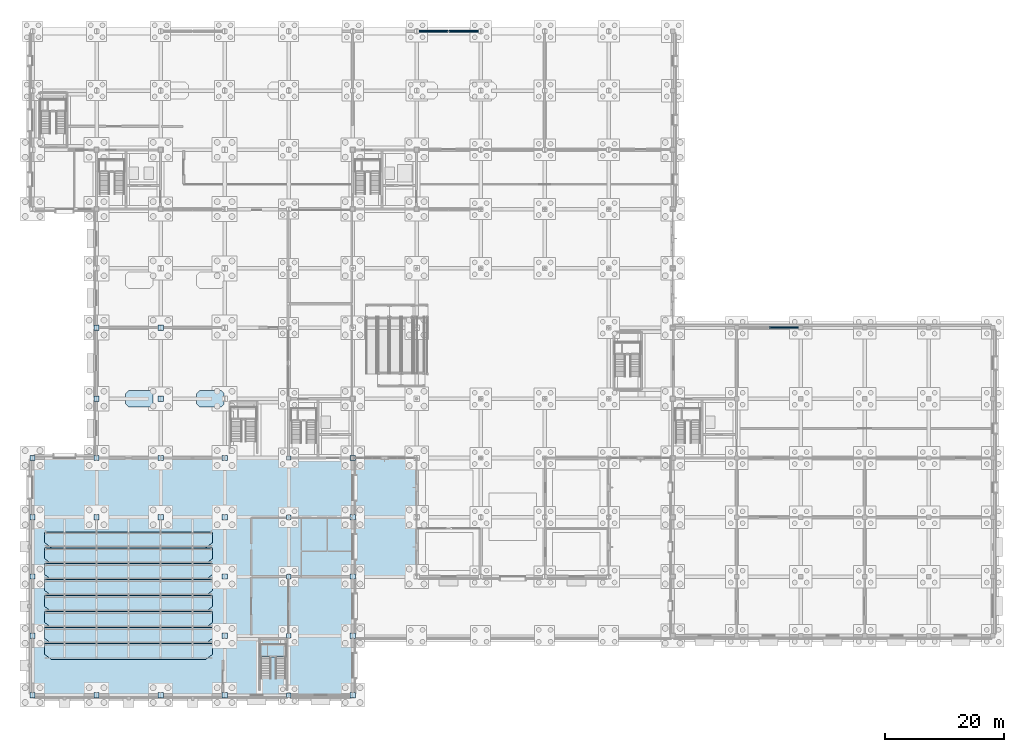
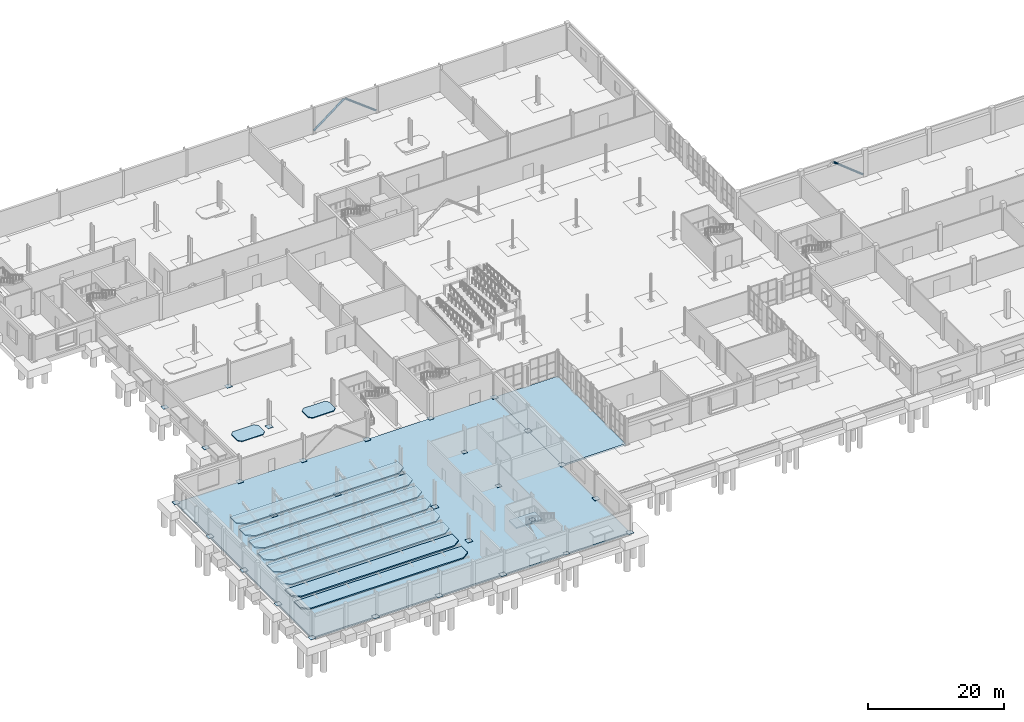
# One storey, part 39 of 73: 30 plates, 13 slabs, 3 members, 1 element without a shape of its own.
"""IFC4 building model written with IfcOpenShell, lengths in metres."""

from ifc_helpers import new_model, si_unit, direction, frame, origin, origin_2d, place, context, subcontext, project, spatial, polyline, rectangle, hollow_circle, outline, extrude, material, layer, layer_set, material_profile, profile_set, type_object, element, aggregate, save


model = new_model("IFC4")

# Units and contexts
model_context = context("Model", 3, precision=1e-05, world=origin(), true_north=direction((0.0, 1.0)))
body_context = subcontext(model_context, "Body", "Model", "MODEL_VIEW")
ifc_project = project(units=[si_unit("LENGTHUNIT", "METRE"), si_unit("AREAUNIT", "SQUARE_METRE"), si_unit("VOLUMEUNIT", "CUBIC_METRE"), si_unit("PLANEANGLEUNIT", "RADIAN"), si_unit("MASSUNIT", "GRAM", prefix="KILO")], contexts=[model_context])

# Site, building, storey
site_placement = place(None, origin())
site = spatial("IfcSite", under=ifc_project, at=site_placement, CompositionType="ELEMENT")
building_placement = place(site_placement, origin())
building = spatial("IfcBuilding", under=site, at=building_placement, Name="Tasgan Crest Museum", CompositionType="ELEMENT")
storey_placement = place(building_placement, origin())
storey = spatial("IfcBuildingStorey", under=building, at=storey_placement, Name="L00", CompositionType="ELEMENT", Elevation=0.0)

# Members
ifc_material_1 = material(Name="Steel S355K2", Category="steel")
ifc_material_profile = material_profile(ifc_material_1, hollow_circle(Radius=0.177734375, WallThickness=0.01611328125, at=origin_2d()), Name="CHS 355.6x16")
ifc_profile_set = profile_set([ifc_material_profile], Name="Steel S355K2")
member_type = type_object("IfcMemberType", Name="MEM-BR-CHS355", PredefinedType="BRACE", material=ifc_profile_set)
for number, where, z_axis, x_axis, name in (
    (1, (64.949951171875, 112.0, 0.35009765625), (0.796086993423, 0.0, 0.605182203062), (0.0, 1.0, 0.0), "Chevron brace L L00 M 64.8"),
    (2, (75.449951171875, 112.0, 0.35009765625), (-0.796073117419, 0.0, 0.605200455818), (0.0, -1.0, 0.0), "Chevron brace R L00 M 75.6"),
):
    element("IfcMember", number, at=place(storey_placement, frame(where, z_axis=z_axis, x_axis=x_axis)), inside=storey, type_object=member_type, Name=name, PredefinedType="BRACE", context=body_context, shape_type="SweptSolid", body=[
        extrude(hollow_circle(Radius=0.177734375, WallThickness=0.01611328125, at=origin_2d()), origin(), (0.0, 0.0, 1.0), 6.444091796875),
    ])
member_placement = place(storey_placement, frame((129.25, 62.0, 0.35009765625), z_axis=(-0.784274949848, 0.0, 0.620413413008), x_axis=(0.0, -1.0, 0.0)))
element("IfcMember", 3, at=member_placement, inside=storey, type_object=member_type, Name="Chevron brace R L00 G 129.6", PredefinedType="BRACE", context=body_context, shape_type="SweptSolid", body=[
    extrude(hollow_circle(Radius=0.177734375, WallThickness=0.01611328125, at=origin_2d()), origin(), (0.0, 0.0, 1.0), 6.285888671875),
])

# Plates
ifc_material_2 = material(Name="Steel S355K2", Category="steel")
ifc_layer_1 = layer(ifc_material_2, 0.75, Name="PL-BASE-750")
ifc_layer_set_1 = layer_set([ifc_layer_1], Name="Steel S355K2")
plate_type_1 = type_object("IfcPlateType", Name="PL-BASE-750", PredefinedType="USERDEFINED", material=ifc_layer_set_1)
for number, where, z_axis, x_axis, name in (
    (4, (43.199951171875, 0.0, 0.0), (0.0, 0.0, 1.0), (1.0, 0.0, 0.0), "Base plate 5/A"),
    (5, (43.199951171875, 10.0, 0.0), (0.0, 0.0, 1.0), (1.0, 0.0, 0.0), "Base plate 5/B"),
    (6, (43.199951171875, 20.0, 0.0), (0.0, 0.0, 1.0), (1.0, 0.0, 0.0), "Base plate 5/C"),
    (7, (43.199951171875, 30.0, 0.0), (0.0, 0.0, 1.0), (1.0, 0.0, 0.0), "Base plate 5/D"),
    (8, (43.199951171875, 40.0, 0.0), (0.0, 0.0, 1.0), (1.0, 0.0, 0.0), "Base plate 5/E"),
):
    element("IfcPlate", number, at=place(storey_placement, frame(where, z_axis=z_axis, x_axis=x_axis)), inside=storey, type_object=plate_type_1, Name=name, ObjectType="BASE PLATE", PredefinedType="USERDEFINED", context=body_context, shape_type="SweptSolid", body=[
        extrude(rectangle(XDim=0.75, YDim=0.75, at=origin_2d()), origin(), (0.0, 0.0, 1.0), 0.031982421875),
    ])
ifc_material_3 = material(Name="Steel S355K2", Category="steel")
ifc_layer_2 = layer(ifc_material_3, 0.89990234375, Name="PL-BASE-900")
ifc_layer_set_2 = layer_set([ifc_layer_2], Name="Steel S355K2")
plate_type_2 = type_object("IfcPlateType", Name="PL-BASE-900", PredefinedType="USERDEFINED", material=ifc_layer_set_2)
for number, where, z_axis, x_axis, name in (
    (9, (0.0, 0.0, 0.0), (0.0, 0.0, 1.0), (1.0, 0.0, 0.0), "Base plate 1/A"),
    (10, (0.0, 10.0, 0.0), (0.0, 0.0, 1.0), (1.0, 0.0, 0.0), "Base plate 1/B"),
    (11, (0.0, 20.0, 0.0), (0.0, 0.0, 1.0), (1.0, 0.0, 0.0), "Base plate 1/C"),
    (12, (0.0, 30.0, 0.0), (0.0, 0.0, 1.0), (1.0, 0.0, 0.0), "Base plate 1/D"),
    (13, (0.0, 40.0, 0.0), (0.0, 0.0, 1.0), (1.0, 0.0, 0.0), "Base plate 1/E"),
    (14, (10.800048828125, 0.0, 0.0), (0.0, 0.0, 1.0), (1.0, 0.0, 0.0), "Base plate 2/A"),
    (15, (10.800048828125, 30.0, 0.0), (0.0, 0.0, 1.0), (1.0, 0.0, 0.0), "Base plate 2/D"),
    (16, (10.800048828125, 40.0, 0.0), (0.0, 0.0, 1.0), (1.0, 0.0, 0.0), "Base plate 2/E"),
    (17, (10.800048828125, 50.0, 0.0), (0.0, 0.0, 1.0), (1.0, 0.0, 0.0), "Base plate 2/F"),
    (18, (10.800048828125, 62.0, 0.0), (0.0, 0.0, 1.0), (1.0, 0.0, 0.0), "Base plate 2/G"),
    (19, (21.60009765625, 0.0, 0.0), (0.0, 0.0, 1.0), (1.0, 0.0, 0.0), "Base plate 3/A"),
    (20, (21.60009765625, 30.0, 0.0), (0.0, 0.0, 1.0), (1.0, 0.0, 0.0), "Base plate 3/D"),
    (21, (21.60009765625, 40.0, 0.0), (0.0, 0.0, 1.0), (1.0, 0.0, 0.0), "Base plate 3/E"),
    (22, (21.60009765625, 50.0, 0.0), (0.0, 0.0, 1.0), (1.0, 0.0, 0.0), "Base plate 3/F"),
    (23, (21.60009765625, 62.0, 0.0), (0.0, 0.0, 1.0), (1.0, 0.0, 0.0), "Base plate 3/G"),
    (24, (32.39990234375, 0.0, 0.0), (0.0, 0.0, 1.0), (1.0, 0.0, 0.0), "Base plate 4/A"),
    (25, (32.39990234375, 10.0, 0.0), (0.0, 0.0, 1.0), (1.0, 0.0, 0.0), "Base plate 4/B"),
    (26, (32.39990234375, 20.0, 0.0), (0.0, 0.0, 1.0), (1.0, 0.0, 0.0), "Base plate 4/C"),
    (27, (32.39990234375, 30.0, 0.0), (0.0, 0.0, 1.0), (1.0, 0.0, 0.0), "Base plate 4/D"),
    (28, (32.39990234375, 40.0, 0.0), (0.0, 0.0, 1.0), (1.0, 0.0, 0.0), "Base plate 4/E"),
    (29, (54.0, 0.0, 0.0), (0.0, 0.0, 1.0), (1.0, 0.0, 0.0), "Base plate 6/A"),
    (30, (54.0, 10.0, 0.0), (0.0, 0.0, 1.0), (1.0, 0.0, 0.0), "Base plate 6/B"),
    (31, (54.0, 20.0, 0.0), (0.0, 0.0, 1.0), (1.0, 0.0, 0.0), "Base plate 6/C"),
    (32, (54.0, 30.0, 0.0), (0.0, 0.0, 1.0), (1.0, 0.0, 0.0), "Base plate 6/D"),
    (33, (54.0, 40.0, 0.0), (0.0, 0.0, 1.0), (1.0, 0.0, 0.0), "Base plate 6/E"),
):
    element("IfcPlate", number, at=place(storey_placement, frame(where, z_axis=z_axis, x_axis=x_axis)), inside=storey, type_object=plate_type_2, Name=name, ObjectType="BASE PLATE", PredefinedType="USERDEFINED", context=body_context, shape_type="SweptSolid", body=[
        extrude(rectangle(XDim=0.89990234375, YDim=0.89990234375, at=origin_2d()), origin(), (0.0, 0.0, 1.0), 0.035888671875),
    ])

# Slabs
ifc_material_4 = material(Name="Concrete C35/45", Category="concrete")
ifc_layer_3 = layer(ifc_material_4, 0.25, Name="SL-APRON-250")
ifc_layer_set_3 = layer_set([ifc_layer_3], Name="Concrete C35/45")
slab_type_1 = type_object("IfcSlabType", Name="SL-APRON-250", PredefinedType="BASESLAB", material=ifc_layer_set_3)
slab_1_placement = place(storey_placement, frame((0.0, 0.0, -0.300048828125)))
element("IfcSlab", 34, at=slab_1_placement, inside=storey, type_object=slab_type_1, Name="Exterior stone forecourt SOUTH-FORECOURT-W", PredefinedType="BASESLAB", context=body_context, shape_type="SweptSolid", body=[
    extrude(outline(polyline([(54.0, 20.0), (64.800048828125, 20.0), (64.800048828125, 40.0), (54.0, 40.0), (54.0, 20.0)])), origin(), (0.0, 0.0, 1.0), 0.300048828125),
])
ifc_material_5 = material(Name="Concrete C35/45", Category="concrete")
ifc_layer_4 = layer(ifc_material_5, 0.300048828125, Name="SL-BASE-300")
ifc_layer_set_4 = layer_set([ifc_layer_4], Name="Concrete C35/45")
slab_type_2 = type_object("IfcSlabType", Name="SL-BASE-300", PredefinedType="BASESLAB", material=ifc_layer_set_4)
slab_2_placement = place(storey_placement, frame((0.0, 0.0, -0.300048828125)))
element("IfcSlab", 35, at=slab_2_placement, inside=storey, type_object=slab_type_2, Name="Floor slab L00 V1", PredefinedType="BASESLAB", context=body_context, shape_type="SweptSolid", body=[
    extrude(outline(polyline([(0.0, 0.0), (54.0, 0.0), (54.0, 40.0), (0.0, 40.0), (0.0, 0.0)])), origin(), (0.0, 0.0, 1.0), 0.300048828125),
])
ifc_material_6 = material(Name="Concrete C35/45", Category="concrete")
ifc_layer_5 = layer(ifc_material_6, 0.139892578125, Name="SL-DAIS-T01")
ifc_layer_set_5 = layer_set([ifc_layer_5], Name="Concrete C35/45")
slab_type_3 = type_object("IfcSlabType", Name="SL-DAIS-T01", PredefinedType="FLOOR", material=ifc_layer_set_5)
slab_3_placement = place(storey_placement, origin())
element("IfcSlab", 36, at=slab_3_placement, inside=storey, type_object=slab_type_3, Name="Exhibition specimen dais L00-01", PredefinedType="FLOOR", context=body_context, shape_type="SweptSolid", body=[
    extrude(outline(polyline([(16.199951171875, 48.60009765625), (19.800048828125, 48.60009765625), (20.300048828125, 49.10009765625), (20.300048828125, 50.89990234375), (19.800048828125, 51.39990234375), (16.199951171875, 51.39990234375), (15.699951171875, 50.89990234375), (15.699951171875, 49.10009765625), (16.199951171875, 48.60009765625)])), origin(), (0.0, 0.0, 1.0), 0.139892578125),
])
ifc_material_7 = material(Name="Concrete C35/45", Category="concrete")
ifc_layer_6 = layer(ifc_material_7, 0.14990234375, Name="SL-DAIS-T02")
ifc_layer_set_6 = layer_set([ifc_layer_6], Name="Concrete C35/45")
slab_type_4 = type_object("IfcSlabType", Name="SL-DAIS-T02", PredefinedType="FLOOR", material=ifc_layer_set_6)
slab_4_placement = place(storey_placement, origin())
element("IfcSlab", 37, at=slab_4_placement, inside=storey, type_object=slab_type_4, Name="Exhibition specimen dais L00-02", PredefinedType="FLOOR", context=body_context, shape_type="SweptSolid", body=[
    extrude(outline(polyline([(28.199951171875, 48.60009765625), (31.800048828125, 48.60009765625), (32.300048828125, 49.10009765625), (32.300048828125, 50.89990234375), (31.800048828125, 51.39990234375), (28.199951171875, 51.39990234375), (27.699951171875, 50.89990234375), (27.699951171875, 49.10009765625), (28.199951171875, 48.60009765625)])), origin(), (0.0, 0.0, 1.0), 0.14990234375),
])

# Stair, slab
ifc_material_8 = material(Name="Steel S355J2", Category="steel")
stair_type = type_object("IfcStairType", Name="ST-FEAT-48", PredefinedType="HALF_TURN_STAIR", material=ifc_material_8)
stair_placement = place(storey_placement, origin())
stair = element("IfcStair", 38, at=stair_placement, inside=storey, type_object=stair_type, Name="Stair ST-FS-L00 L00", PredefinedType="HALF_TURN_STAIR")
ifc_material_9 = material(Name="Concrete C35/45", Category="concrete")
ifc_layer_7 = layer(ifc_material_9, 0.199951171875, Name="SL-LAND-200")
ifc_layer_set_7 = layer_set([ifc_layer_7], Name="Concrete C35/45")
slab_type_5 = type_object("IfcSlabType", Name="SL-LAND-200", PredefinedType="LANDING", material=ifc_layer_set_7)
slab_5_placement = place(storey_placement, frame((0.0, 0.0, 2.199951171875)))
slab_5 = element("IfcSlab", 39, at=slab_5_placement, type_object=slab_type_5, Name="ST-FS-L00 landing 1", PredefinedType="LANDING", context=body_context, shape_type="SweptSolid", body=[
    extrude(outline(polyline([(38.39990234375, 6.405029296875), (42.800048828125, 6.405029296875), (42.800048828125, 8.655029296875), (38.39990234375, 8.655029296875), (38.39990234375, 6.405029296875)])), origin(), (0.0, 0.0, 1.0), 0.199951171875),
])
aggregate(stair, [slab_5])

# Slabs
ifc_material_10 = material(Name="Concrete C35/45", Category="concrete")
ifc_layer_8 = layer(ifc_material_10, 0.219970703125, Name="SL-TIER-220")
ifc_layer_set_8 = layer_set([ifc_layer_8], Name="Concrete C35/45")
slab_type_6 = type_object("IfcSlabType", Name="SL-TIER-220", PredefinedType="USERDEFINED", material=ifc_layer_set_8)
slab_6_placement = place(storey_placement, frame((0.0, 0.0, 0.320068359375)))
element("IfcSlab", 40, at=slab_6_placement, inside=storey, type_object=slab_type_6, Name="Stand lower tier 1", ObjectType="SEATING TIER", PredefinedType="USERDEFINED", context=body_context, shape_type="SweptSolid", body=[
    extrude(outline(polyline([(3.199951171875, 6.0), (29.199951171875, 6.0), (30.39990234375, 6.89990234375), (30.39990234375, 8.69384765625), (2.0, 8.69384765625), (2.0, 6.89990234375), (3.199951171875, 6.0)])), origin(), (0.0, 0.0, 1.0), 0.219970703125),
])
slab_7_placement = place(storey_placement, frame((0.0, 0.0, 0.860107421875)))
element("IfcSlab", 41, at=slab_7_placement, inside=storey, type_object=slab_type_6, Name="Stand lower tier 2", ObjectType="SEATING TIER", PredefinedType="USERDEFINED", context=body_context, shape_type="SweptSolid", body=[
    extrude(outline(polyline([(3.199951171875, 8.69384765625), (29.199951171875, 8.69384765625), (30.39990234375, 9.59375), (30.39990234375, 11.387451171875), (2.0, 11.387451171875), (2.0, 9.59375), (3.199951171875, 8.69384765625)])), origin(), (0.0, 0.0, 1.0), 0.219970703125),
])
slab_8_placement = place(storey_placement, frame((0.0, 0.0, 1.39990234375)))
element("IfcSlab", 42, at=slab_8_placement, inside=storey, type_object=slab_type_6, Name="Stand lower tier 3", ObjectType="SEATING TIER", PredefinedType="USERDEFINED", context=body_context, shape_type="SweptSolid", body=[
    extrude(outline(polyline([(3.199951171875, 11.387451171875), (29.199951171875, 11.387451171875), (30.39990234375, 12.28759765625), (30.39990234375, 14.081298828125), (2.0, 14.081298828125), (2.0, 12.28759765625), (3.199951171875, 11.387451171875)])), origin(), (0.0, 0.0, 1.0), 0.22021484375),
])
slab_9_placement = place(storey_placement, frame((0.0, 0.0, 1.93994140625)))
element("IfcSlab", 43, at=slab_9_placement, inside=storey, type_object=slab_type_6, Name="Stand lower tier 4", ObjectType="SEATING TIER", PredefinedType="USERDEFINED", context=body_context, shape_type="SweptSolid", body=[
    extrude(outline(polyline([(3.199951171875, 14.081298828125), (29.199951171875, 14.081298828125), (30.39990234375, 14.981201171875), (30.39990234375, 16.77490234375), (2.0, 16.77490234375), (2.0, 14.981201171875), (3.199951171875, 14.081298828125)])), origin(), (0.0, 0.0, 1.0), 0.219970703125),
])
slab_10_placement = place(storey_placement, frame((0.0, 0.0, 2.47998046875)))
element("IfcSlab", 44, at=slab_10_placement, inside=storey, type_object=slab_type_6, Name="Stand lower tier 5", ObjectType="SEATING TIER", PredefinedType="USERDEFINED", context=body_context, shape_type="SweptSolid", body=[
    extrude(outline(polyline([(3.199951171875, 16.77490234375), (29.199951171875, 16.77490234375), (30.39990234375, 17.675048828125), (30.39990234375, 19.46875), (2.0, 19.46875), (2.0, 17.675048828125), (3.199951171875, 16.77490234375)])), origin(), (0.0, 0.0, 1.0), 0.219970703125),
])
slab_11_placement = place(storey_placement, frame((0.0, 0.0, 3.02001953125)))
element("IfcSlab", 45, at=slab_11_placement, inside=storey, type_object=slab_type_6, Name="Stand lower tier 6", ObjectType="SEATING TIER", PredefinedType="USERDEFINED", context=body_context, shape_type="SweptSolid", body=[
    extrude(outline(polyline([(3.199951171875, 19.46875), (29.199951171875, 19.46875), (30.39990234375, 20.36865234375), (30.39990234375, 22.16259765625), (2.0, 22.16259765625), (2.0, 20.36865234375), (3.199951171875, 19.46875)])), origin(), (0.0, 0.0, 1.0), 0.219970703125),
])
slab_12_placement = place(storey_placement, frame((0.0, 0.0, 3.56005859375)))
element("IfcSlab", 46, at=slab_12_placement, inside=storey, type_object=slab_type_6, Name="Stand lower tier 7", ObjectType="SEATING TIER", PredefinedType="USERDEFINED", context=body_context, shape_type="SweptSolid", body=[
    extrude(outline(polyline([(3.199951171875, 22.16259765625), (29.199951171875, 22.16259765625), (30.39990234375, 23.0625), (30.39990234375, 24.856201171875), (2.0, 24.856201171875), (2.0, 23.0625), (3.199951171875, 22.16259765625)])), origin(), (0.0, 0.0, 1.0), 0.219970703125),
])
slab_13_placement = place(storey_placement, frame((0.0, 0.0, 4.10009765625)))
element("IfcSlab", 47, at=slab_13_placement, inside=storey, type_object=slab_type_6, Name="Stand lower tier 8", ObjectType="SEATING TIER", PredefinedType="USERDEFINED", context=body_context, shape_type="SweptSolid", body=[
    extrude(outline(polyline([(3.199951171875, 24.856201171875), (29.199951171875, 24.856201171875), (30.39990234375, 25.75634765625), (30.39990234375, 27.550048828125), (2.0, 27.550048828125), (2.0, 25.75634765625), (3.199951171875, 24.856201171875)])), origin(), (0.0, 0.0, 1.0), 0.219970703125),
])

save(model, "model.ifc")
